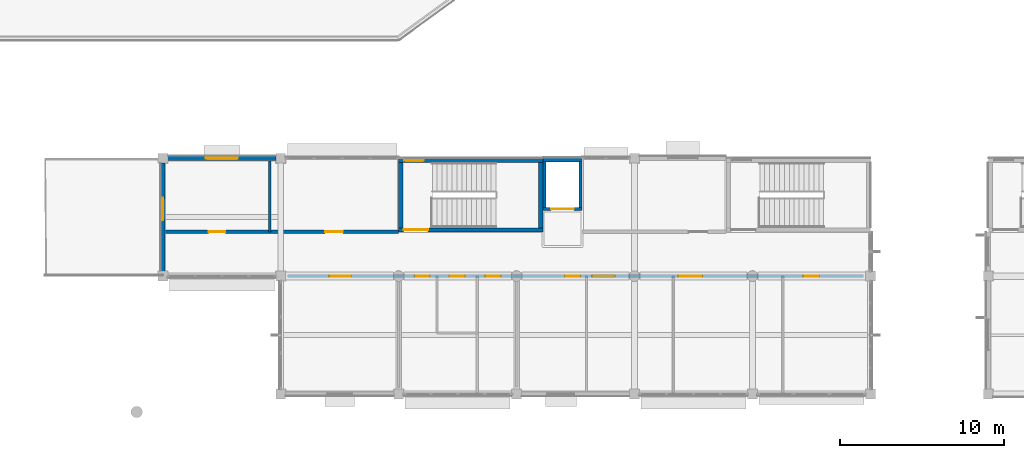
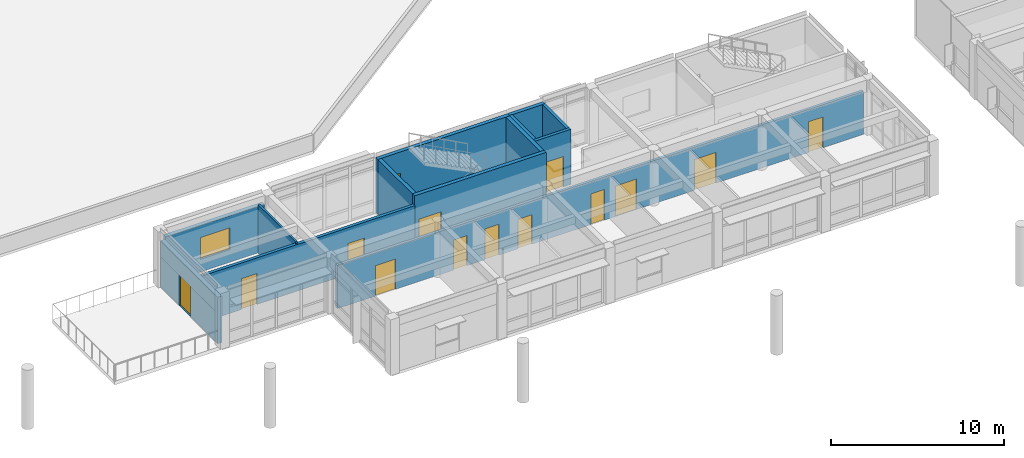
# One storey, part 22 of 55: 13 doors, 13 walls, 2 windows, 15 openings.
"""IFC4 building model written with IfcOpenShell, lengths in metres."""

import ifcopenshell
import ifcopenshell.guid

model = None  # the IFC model being written
_history = None  # IfcOwnerHistory: only IFC2X3 demands one
_inside = {}  # id of a spatial element -> (the spatial element, [elements in it])
_under = {}  # id of a project, library or spatial element -> (it, [spatial elements below it])
_declared = {}  # id of a project -> (the project, [libraries it declares])
_typed = {}  # id of a type object -> (the type object, [elements of that type])
_made_of = {}  # id of a material, layer set ... -> (it, [elements and type objects made of it])


def new_model(schema):
    """Start an empty IFC model of exactly this schema.

    Asked for "IFC4X3", IfcOpenShell would pick the latest addendum, in which some entities
    have other attributes; the version numbers below select the first issue.
    IFC2X3 requires an IfcOwnerHistory on every rooted entity: one is made here for all.
    """
    global model, _history
    if schema == "IFC4X3":
        model = ifcopenshell.file(schema_version=(4, 3, 0, 0))
    else:
        model = ifcopenshell.file(schema=schema)
    _inside.clear()
    _under.clear()
    _declared.clear()
    _typed.clear()
    _made_of.clear()
    _history = None
    if model.schema == "IFC2X3":
        org = make("IfcOrganization", Name="unknown")
        user = make(
            "IfcPersonAndOrganization",
            ThePerson=make("IfcPerson", FamilyName="unknown"),
            TheOrganization=org,
        )
        app = make(
            "IfcApplication",
            ApplicationDeveloper=org,
            Version="unknown",
            ApplicationFullName="unknown",
            ApplicationIdentifier="unknown",
        )
        _history = make(
            "IfcOwnerHistory",
            OwningUser=user,
            OwningApplication=app,
            ChangeAction="ADDED",
            CreationDate=0,
        )
    return model


def make(cls, **values):
    """One entity of the class cls with the attributes given. An attribute that is None is left unset."""
    return model.create_entity(
        cls, **{name: value for name, value in values.items() if value is not None}
    )


def rooted(cls, **values):
    """An entity with a GlobalId (a new one), such as an element, a storey or a relation."""
    return make(cls, GlobalId=ifcopenshell.guid.new(), OwnerHistory=_history, **values)


def si_unit(unit_type, name, prefix=None):
    """IfcSIUnit, for example si_unit("LENGTHUNIT", "METRE", prefix="MILLI")."""
    return make("IfcSIUnit", UnitType=unit_type, Prefix=prefix, Name=name)


def assignment(units):
    """IfcUnitAssignment: the units of a project."""
    return None if units is None else make("IfcUnitAssignment", Units=units)


def point(xyz):
    """IfcCartesianPoint."""
    return None if xyz is None else make("IfcCartesianPoint", Coordinates=xyz)


def direction(xyz):
    """IfcDirection."""
    return None if xyz is None else make("IfcDirection", DirectionRatios=xyz)


def frame(location, z_axis=None, x_axis=None):
    """IfcAxis2Placement3D, a coordinate frame: its origin and axes. An axis left out is left unset."""
    return make(
        "IfcAxis2Placement3D",
        Location=point(location),
        Axis=direction(z_axis),
        RefDirection=direction(x_axis),
    )


def frame_2d(location, x_axis=None):
    """IfcAxis2Placement2D, a coordinate frame in the plane: its origin and x axis."""
    return make(
        "IfcAxis2Placement2D", Location=point(location), RefDirection=direction(x_axis)
    )


def origin():
    """The frame at (0, 0, 0) with its axes left unset."""
    return frame((0.0, 0.0, 0.0))


def place(relative_to, where):
    """IfcLocalPlacement: puts the frame where relative to a parent placement (None: the world)."""
    return make(
        "IfcLocalPlacement", PlacementRelTo=relative_to, RelativePlacement=where
    )


def context(
    kind, dimensions, precision=None, world=None, true_north=None, identifier=None
):
    """IfcGeometricRepresentationContext, for example the 3D "Model" context."""
    return make(
        "IfcGeometricRepresentationContext",
        ContextIdentifier=identifier,
        ContextType=kind,
        CoordinateSpaceDimension=dimensions,
        Precision=precision,
        WorldCoordinateSystem=world,
        TrueNorth=true_north,
    )


def subcontext(parent, identifier, kind, view, scale=None):
    """IfcGeometricRepresentationSubContext, for example "Body" below "Model"."""
    return make(
        "IfcGeometricRepresentationSubContext",
        ContextIdentifier=identifier,
        ContextType=kind,
        ParentContext=parent,
        TargetScale=scale,
        TargetView=view,
    )


def project(units=None, contexts=None):
    """IfcProject with its units and contexts."""
    return rooted(
        "IfcProject",
        Name="project",
        RepresentationContexts=contexts,
        UnitsInContext=assignment(units),
    )


def spatial(cls, under=None, at=None, **own):
    """A site, building, storey or space (cls), placed at a placement, below another one or the project."""
    s = rooted(cls, ObjectPlacement=at, **own)
    if under is not None:
        _under.setdefault(under.id(), (under, []))[1].append(s)
    return s


def profile(cls, at=None, kind="AREA", **sizes):
    """A parametric profile (cls). Its sizes go by their IFC names, for example OverallWidth=200.0."""
    return make(cls, ProfileType=kind, Position=at, **sizes)


def rectangle(**sizes):
    """IfcRectangleProfileDef."""
    return profile("IfcRectangleProfileDef", **sizes)


def extrude(swept, where, along, depth):
    """IfcExtrudedAreaSolid: the profile swept, set in the frame where, extruded along a direction by depth."""
    return make(
        "IfcExtrudedAreaSolid",
        SweptArea=swept,
        Position=where,
        ExtrudedDirection=direction(along),
        Depth=depth,
    )


def shape(context_of_items, identifier, shape_type, items):
    """IfcShapeRepresentation: the items that make up one representation, for example the "Body"."""
    return make(
        "IfcShapeRepresentation",
        ContextOfItems=context_of_items,
        RepresentationIdentifier=identifier,
        RepresentationType=shape_type,
        Items=items,
    )


def material(Name=None, Category=None):
    """IfcMaterial."""
    return make("IfcMaterial", Name=Name, Category=Category)


def layer(
    of_material, thickness, ventilated=None, Name=None, Category=None, Priority=None
):
    """IfcMaterialLayer: one layer of a wall or slab, of a material (None: an air gap)."""
    return make(
        "IfcMaterialLayer",
        Material=of_material,
        LayerThickness=thickness,
        IsVentilated=ventilated,
        Name=Name,
        Category=Category,
        Priority=Priority,
    )


def layer_set(layers, Name=None):
    """IfcMaterialLayerSet."""
    return make("IfcMaterialLayerSet", MaterialLayers=layers, LayerSetName=Name)


def made_of(thing, what):
    """Note that an element or type object is made of a material, layer set ...; save() writes the relation."""
    if what is not None:
        _made_of.setdefault(what.id(), (what, []))[1].append(thing)
    return thing


def type_object(cls, material=None, **own):
    """A type object (cls), such as IfcWallType, which elements share."""
    return made_of(rooted(cls, **own), material)


def element(
    cls,
    number,
    at=None,
    inside=None,
    cuts=None,
    type_object=None,
    material=None,
    context=None,
    identifier="Body",
    shape_type=None,
    held_by="IfcProductDefinitionShape",
    body=None,
    shapes=None,
    **own,
):
    """One element of the class cls, such as IfcWall. Its Tag is "e" and its number.

    at: its placement. inside: the storey or other place that contains it. cuts: it is an
    opening in that element (IfcRelVoidsElement). A single representation is given by context,
    identifier, shape_type and body (its items); several are given by shapes. held_by: the class
    of the entity that holds the representations. save() writes the other relations.
    """
    e = rooted(cls, Tag="e%d" % number, ObjectPlacement=at, **own)
    if body is not None:
        shapes = [shape(context, identifier, shape_type, body)]
    if shapes is not None:
        e.Representation = make(held_by, Representations=shapes)
    if inside is not None:
        _inside.setdefault(inside.id(), (inside, []))[1].append(e)
    if cuts is not None:
        rooted(
            "IfcRelVoidsElement", RelatingBuildingElement=cuts, RelatedOpeningElement=e
        )
    if type_object is not None:
        _typed.setdefault(type_object.id(), (type_object, []))[1].append(e)
    return made_of(e, material)


def fill(opening, filler):
    """IfcRelFillsElement: the door or window that sits in an opening."""
    return rooted(
        "IfcRelFillsElement",
        RelatingOpeningElement=opening,
        RelatedBuildingElement=filler,
    )


def aggregate(whole, parts):
    """IfcRelAggregates: a whole, such as a stair, and the parts it consists of."""
    return rooted("IfcRelAggregates", RelatingObject=whole, RelatedObjects=parts)


def save(model, path):
    """Write the relations noted so far, then the file.

    IfcRelAggregates (storeys below a building ...), IfcRelContainedInSpatialStructure (elements
    in a storey), IfcRelDefinesByType, IfcRelAssociatesMaterial and IfcRelDeclares: one each for
    every whole, place, type object, material and project.
    """
    for whole, parts in _under.values():
        aggregate(whole, parts)
    for where, things in _inside.values():
        rooted(
            "IfcRelContainedInSpatialStructure",
            RelatedElements=things,
            RelatingStructure=where,
        )
    for kind, things in _typed.values():
        rooted("IfcRelDefinesByType", RelatedObjects=things, RelatingType=kind)
    for what, things in _made_of.values():
        rooted("IfcRelAssociatesMaterial", RelatedObjects=things, RelatingMaterial=what)
    for by, libraries in _declared.values():
        rooted("IfcRelDeclares", RelatingContext=by, RelatedDefinitions=libraries)
    model.write(path)


model = new_model("IFC4")

# Units and contexts
model_context = context("Model", 3, precision=1e-05, world=origin(), true_north=direction((0.0, 1.0)))
body_context = subcontext(model_context, "Body", "Model", "MODEL_VIEW")
ifc_project = project(units=[si_unit("LENGTHUNIT", "METRE"), si_unit("AREAUNIT", "SQUARE_METRE"), si_unit("VOLUMEUNIT", "CUBIC_METRE"), si_unit("PLANEANGLEUNIT", "RADIAN"), si_unit("MASSUNIT", "GRAM", prefix="KILO")], contexts=[model_context])

# Site, building, storey
site_placement = place(None, origin())
site = spatial("IfcSite", under=ifc_project, at=site_placement, CompositionType="ELEMENT")
building_placement = place(site_placement, origin())
building = spatial("IfcBuilding", under=site, at=building_placement, Name="Namkhue Oval Health Centre", CompositionType="ELEMENT")
storey_placement = place(building_placement, frame((0.0, 0.0, 9.60009765625)))
storey = spatial("IfcBuildingStorey", under=building, at=storey_placement, Name="L02", CompositionType="ELEMENT", Elevation=9.60009765625)

# Wall, opening, window
ifc_material_1 = material(Name="Autoclaved aerated concrete blockwork M7.5", Category="masonry")
ifc_layer_1 = layer(ifc_material_1, 0.27001953125)
ifc_layer_set_1 = layer_set([ifc_layer_1], Name="Autoclaved aerated concrete blockwork M7.5")
wall_type_1 = type_object("IfcWallType", Name="EXTERIOR ENVELOPE WALL 270", PredefinedType="STANDARD", material=ifc_layer_set_1)
wall_1_placement = place(storey_placement, frame((50.10400390625, 28.800048828125, 0.0), z_axis=(0.0, 0.0, 1.0), x_axis=(-1.0, 0.0, 0.0)))
wall_1 = element("IfcWall", 1, at=wall_1_placement, inside=storey, type_object=wall_type_1, Name="Volume V4 L02 Exterior Envelope Wall 106", PredefinedType="STANDARD", context=body_context, shape_type="SweptSolid", body=[
    extrude(rectangle(XDim=6.60791015625, YDim=0.27001953125, at=frame_2d((3.303955078125, 0.0))), origin(), (0.0, 0.0, 1.0), 3.2919921875),
])
opening_1_placement = place(wall_1_placement, frame((2.3291015625, 0.0, 0.89990234375)))
opening_1 = element("IfcOpeningElement", 2, at=opening_1_placement, cuts=wall_1, Name="Opening WN-28", PredefinedType="OPENING", context=body_context, shape_type="SweptSolid", body=[
    extrude(rectangle(XDim=1.949951171875, YDim=1.5400390625, at=frame_2d((0.97509765625, 0.77001953125))), frame((0.0, 0.14501953125, 0.0), z_axis=(0.0, -1.0, 0.0), x_axis=(1.0, 0.0, 0.0)), (0.0, 0.0, 1.0), 0.2900390625),
])
ifc_material_2 = material(Name="Thermally broken low-E laminated double glazing", Category="glass")
window_type_1 = type_object("IfcWindowType", Name="EXTERIOR WINDOW 1950X1540", PartitioningType="SINGLE_PANEL", PredefinedType="WINDOW", material=ifc_material_2)
window_1_placement = place(opening_1_placement, origin())
window_1 = element("IfcWindow", 3, at=window_1_placement, inside=storey, type_object=window_type_1, Name="Volume V4 L02 Exterior Window 73", OverallHeight=1.5400390625, OverallWidth=1.949951171875, PartitioningType="SINGLE_PANEL", PredefinedType="WINDOW", context=body_context, shape_type="SweptSolid", body=[
    extrude(rectangle(XDim=1.949951171875, YDim=1.5400390625, at=frame_2d((0.97509765625, 0.77001953125))), frame((0.0, 0.030029296875, 0.0), z_axis=(0.0, -1.0, 0.0), x_axis=(1.0, 0.0, 0.0)), (0.0, 0.0, 1.0), 0.06005859375),
])
fill(opening_1, window_1)

# Wall, opening, door
ifc_layer_2 = layer(ifc_material_1, 0.280029296875)
ifc_layer_set_2 = layer_set([ifc_layer_2], Name="Autoclaved aerated concrete blockwork M7.5")
wall_type_2 = type_object("IfcWallType", Name="EXTERIOR ENVELOPE WALL 280", PredefinedType="STANDARD", material=ifc_layer_set_2)
wall_2_placement = place(storey_placement, frame((43.199951171875, 28.50390625, 0.0), z_axis=(0.0, 0.0, 1.0), x_axis=(0.0, -1.0, 0.0)))
wall_2 = element("IfcWall", 4, at=wall_2_placement, inside=storey, type_object=wall_type_2, Name="Volume V4 L02 Exterior Envelope Wall 107", PredefinedType="STANDARD", context=body_context, shape_type="SweptSolid", body=[
    extrude(rectangle(XDim=6.60791015625, YDim=0.280029296875, at=frame_2d((3.303955078125, 0.0))), origin(), (0.0, 0.0, 1.0), 3.2919921875),
])
opening_2_placement = place(wall_2_placement, frame((2.1240234375, 0.0, 0.0)))
opening_2 = element("IfcOpeningElement", 5, at=opening_2_placement, cuts=wall_2, Name="Opening TD-02", PredefinedType="OPENING", context=body_context, shape_type="SweptSolid", body=[
    extrude(rectangle(XDim=1.360107421875, YDim=2.159912109375, at=frame_2d((0.68017578125, 1.080078125))), frame((0.0, 0.14990234375, 0.0), z_axis=(0.0, -1.0, 0.0), x_axis=(1.0, 0.0, 0.0)), (0.0, 0.0, 1.0), 0.300048828125),
])
ifc_material_3 = material(Name="Anodised aluminium glazed entrance door", Category="aluminium")
door_type_1 = type_object("IfcDoorType", Name="TERRACE DOOR 1360X2160", OperationType="DOUBLE_DOOR_SINGLE_SWING", PredefinedType="DOOR", material=ifc_material_3)
door_1_placement = place(opening_2_placement, frame((1.360107421875, 0.0, 0.0), z_axis=(0.0, 0.0, 1.0), x_axis=(-1.0, 0.0, 0.0)))
door_1 = element("IfcDoor", 6, at=door_1_placement, inside=storey, type_object=door_type_1, Name="Volume V4 L02 Roof Terrace Door 9", OperationType="DOUBLE_DOOR_SINGLE_SWING", OverallHeight=2.159912109375, OverallWidth=1.360107421875, PredefinedType="DOOR", context=body_context, shape_type="SweptSolid", body=[
    extrude(rectangle(XDim=1.360107421875, YDim=2.159912109375, at=frame_2d((0.68017578125, 1.080078125))), frame((0.0, 0.02490234375, 0.0), z_axis=(0.0, -1.0, 0.0), x_axis=(1.0, 0.0, 0.0)), (0.0, 0.0, 1.0), 0.050048828125),
])
fill(opening_2, door_1)

# Wall, openings, doors
ifc_material_4 = material(Name="Gypsum plasterboard acoustic partition", Category="gypsum")
ifc_layer_3 = layer(ifc_material_4, 0.18505859375)
ifc_layer_set_3 = layer_set([ifc_layer_3], Name="Gypsum plasterboard acoustic partition")
wall_type_3 = type_object("IfcWallType", Name="FIRE PARTITION WALL 185", PredefinedType="PARTITIONING", material=ifc_layer_set_3)
wall_3_placement = place(storey_placement, frame((50.82421875, 21.60009765625, 0.0), z_axis=(0.0, 0.0, 1.0), x_axis=(1.0, 0.0, 0.0)))
wall_3 = element("IfcWall", 7, at=wall_3_placement, inside=storey, type_object=wall_type_3, Name="Volume V4 L02 Clinical Partition Wall 184", PredefinedType="PARTITIONING", context=body_context, shape_type="SweptSolid", body=[
    extrude(rectangle(XDim=35.1513671875, YDim=0.18505859375, at=frame_2d((17.57568359375, 0.0))), origin(), (0.0, 0.0, 1.0), 3.0498046875),
])
opening_3_placement = place(wall_3_placement, frame((2.547607421875, 0.0, 0.0)))
opening_3 = element("IfcOpeningElement", 8, at=opening_3_placement, cuts=wall_3, Name="Opening CDD-01", PredefinedType="OPENING", context=body_context, shape_type="SweptSolid", body=[
    extrude(rectangle(XDim=1.340087890625, YDim=2.139892578125, at=frame_2d((0.669921875, 1.06982421875))), frame((0.0, 0.1025390625, 0.0), z_axis=(0.0, -1.0, 0.0), x_axis=(1.0, 0.0, 0.0)), (0.0, 0.0, 1.0), 0.205078125),
])
opening_4_placement = place(wall_3_placement, frame((7.765625, 0.0, 0.0)))
opening_4 = element("IfcOpeningElement", 9, at=opening_4_placement, cuts=wall_3, Name="Opening CD-07", PredefinedType="OPENING", context=body_context, shape_type="SweptSolid", body=[
    extrude(rectangle(XDim=0.89990234375, YDim=2.1298828125, at=frame_2d((0.449951171875, 1.06494140625))), frame((0.0, 0.1025390625, 0.0), z_axis=(0.0, -1.0, 0.0), x_axis=(1.0, 0.0, 0.0)), (0.0, 0.0, 1.0), 0.205078125),
])
opening_5_placement = place(wall_3_placement, frame((9.8857421875, 0.0, 0.0)))
opening_5 = element("IfcOpeningElement", 10, at=opening_5_placement, cuts=wall_3, Name="Opening CD-13", PredefinedType="OPENING", context=body_context, shape_type="SweptSolid", body=[
    extrude(rectangle(XDim=0.919921875, YDim=2.179931640625, at=frame_2d((0.4599609375, 1.08984375))), frame((0.0, 0.1025390625, 0.0), z_axis=(0.0, -1.0, 0.0), x_axis=(1.0, 0.0, 0.0)), (0.0, 0.0, 1.0), 0.205078125),
])
opening_6_placement = place(wall_3_placement, frame((12.065673828125, 0.0, 0.0)))
opening_6 = element("IfcOpeningElement", 11, at=opening_6_placement, cuts=wall_3, Name="Opening CD-02", PredefinedType="OPENING", context=body_context, shape_type="SweptSolid", body=[
    extrude(rectangle(XDim=0.93994140625, YDim=2.080078125, at=frame_2d((0.469970703125, 1.0400390625))), frame((0.0, 0.1025390625, 0.0), z_axis=(0.0, -1.0, 0.0), x_axis=(1.0, 0.0, 0.0)), (0.0, 0.0, 1.0), 0.205078125),
])
opening_7_placement = place(wall_3_placement, frame((16.940673828125, 0.0, 0.0)))
opening_7 = element("IfcOpeningElement", 12, at=opening_7_placement, cuts=wall_3, Name="Opening CD-13", PredefinedType="OPENING", context=body_context, shape_type="SweptSolid", body=[
    extrude(rectangle(XDim=0.919921875, YDim=2.179931640625, at=frame_2d((0.4599609375, 1.08984375))), frame((0.0, 0.1025390625, 0.0), z_axis=(0.0, -1.0, 0.0), x_axis=(1.0, 0.0, 0.0)), (0.0, 0.0, 1.0), 0.205078125),
])
opening_8_placement = place(wall_3_placement, frame((18.580810546875, 0.0, 0.0)))
opening_8 = element("IfcOpeningElement", 13, at=opening_8_placement, cuts=wall_3, Name="Opening CDD-02", PredefinedType="OPENING", context=body_context, shape_type="SweptSolid", body=[
    extrude(rectangle(XDim=1.39990234375, YDim=2.159912109375, at=frame_2d((0.699951171875, 1.080078125))), frame((0.0, 0.1025390625, 0.0), z_axis=(0.0, -1.0, 0.0), x_axis=(1.0, 0.0, 0.0)), (0.0, 0.0, 1.0), 0.205078125),
])
opening_9_placement = place(wall_3_placement, frame((23.849609375, 0.0, 0.0)))
opening_9 = element("IfcOpeningElement", 14, at=opening_9_placement, cuts=wall_3, Name="Opening CDD-03", PredefinedType="OPENING", context=body_context, shape_type="SweptSolid", body=[
    extrude(rectangle(XDim=1.4599609375, YDim=2.179931640625, at=frame_2d((0.72998046875, 1.08984375))), frame((0.0, 0.1025390625, 0.0), z_axis=(0.0, -1.0, 0.0), x_axis=(1.0, 0.0, 0.0)), (0.0, 0.0, 1.0), 0.205078125),
])
opening_10_placement = place(wall_3_placement, frame((31.485595703125, 0.0, 0.0)))
opening_10 = element("IfcOpeningElement", 15, at=opening_10_placement, cuts=wall_3, Name="Opening CD-14", PredefinedType="OPENING", context=body_context, shape_type="SweptSolid", body=[
    extrude(rectangle(XDim=0.969970703125, YDim=2.179931640625, at=frame_2d((0.48486328125, 1.08984375))), frame((0.0, 0.1025390625, 0.0), z_axis=(0.0, -1.0, 0.0), x_axis=(1.0, 0.0, 0.0)), (0.0, 0.0, 1.0), 0.205078125),
])
ifc_material_5 = material(Name="High-pressure laminate timber clinical door", Category="wood")
door_type_2 = type_object("IfcDoorType", Name="CLINICAL DOOR 900X2130", OperationType="NOTDEFINED", PredefinedType="DOOR", material=ifc_material_5)
door_2_placement = place(opening_4_placement, frame((0.89990234375, 0.0, 0.0), z_axis=(0.0, 0.0, 1.0), x_axis=(-1.0, 0.0, 0.0)))
door_2 = element("IfcDoor", 16, at=door_2_placement, inside=storey, type_object=door_type_2, Name="Volume V4 L02 Sterile Theatre Pack Utility Door 159", OperationType="SINGLE_SWING_LEFT", OverallHeight=2.1298828125, OverallWidth=0.89990234375, PredefinedType="DOOR", context=body_context, shape_type="SweptSolid", body=[
    extrude(rectangle(XDim=0.89990234375, YDim=2.1298828125, at=frame_2d((0.449951171875, 1.06494140625))), frame((0.0, 0.02490234375, 0.0), z_axis=(0.0, -1.0, 0.0), x_axis=(1.0, 0.0, 0.0)), (0.0, 0.0, 1.0), 0.050048828125),
])
fill(opening_4, door_2)
door_type_3 = type_object("IfcDoorType", Name="CLINICAL DOOR 920X2180", OperationType="NOTDEFINED", PredefinedType="DOOR", material=ifc_material_5)
door_3_placement = place(opening_5_placement, frame((0.919921875, 0.0, 0.0), z_axis=(0.0, 0.0, 1.0), x_axis=(-1.0, 0.0, 0.0)))
door_3 = element("IfcDoor", 17, at=door_3_placement, inside=storey, type_object=door_type_3, Name="Volume V4 L02 Accessible WC Door 160", OperationType="SINGLE_SWING_LEFT", OverallHeight=2.179931640625, OverallWidth=0.919921875, PredefinedType="DOOR", context=body_context, shape_type="SweptSolid", body=[
    extrude(rectangle(XDim=0.919921875, YDim=2.179931640625, at=frame_2d((0.4599609375, 1.08984375))), frame((0.0, 0.02490234375, 0.0), z_axis=(0.0, -1.0, 0.0), x_axis=(1.0, 0.0, 0.0)), (0.0, 0.0, 1.0), 0.050048828125),
])
fill(opening_5, door_3)
door_4_placement = place(opening_7_placement, frame((0.919921875, 0.0, 0.0), z_axis=(0.0, 0.0, 1.0), x_axis=(-1.0, 0.0, 0.0)))
door_4 = element("IfcDoor", 18, at=door_4_placement, inside=storey, type_object=door_type_3, Name="Volume V4 L02 Central Sterile Supply CSSD Door 162", OperationType="SINGLE_SWING_LEFT", OverallHeight=2.179931640625, OverallWidth=0.919921875, PredefinedType="DOOR", context=body_context, shape_type="SweptSolid", body=[
    extrude(rectangle(XDim=0.919921875, YDim=2.179931640625, at=frame_2d((0.4599609375, 1.08984375))), frame((0.0, 0.02490234375, 0.0), z_axis=(0.0, -1.0, 0.0), x_axis=(1.0, 0.0, 0.0)), (0.0, 0.0, 1.0), 0.050048828125),
])
fill(opening_7, door_4)
door_type_4 = type_object("IfcDoorType", Name="CLINICAL DOOR 940X2080", OperationType="NOTDEFINED", PredefinedType="DOOR", material=ifc_material_5)
door_5_placement = place(opening_6_placement, frame((0.93994140625, 0.0, 0.0), z_axis=(0.0, 0.0, 1.0), x_axis=(-1.0, 0.0, 0.0)))
door_5 = element("IfcDoor", 19, at=door_5_placement, inside=storey, type_object=door_type_4, Name="Volume V4 L02 Surgical Staff Washroom Door 161", OperationType="SINGLE_SWING_RIGHT", OverallHeight=2.080078125, OverallWidth=0.93994140625, PredefinedType="DOOR", context=body_context, shape_type="SweptSolid", body=[
    extrude(rectangle(XDim=0.93994140625, YDim=2.080078125, at=frame_2d((0.469970703125, 1.0400390625))), frame((0.0, 0.02490234375, 0.0), z_axis=(0.0, -1.0, 0.0), x_axis=(1.0, 0.0, 0.0)), (0.0, 0.0, 1.0), 0.050048828125),
])
fill(opening_6, door_5)
door_type_5 = type_object("IfcDoorType", Name="CLINICAL DOOR 970X2180", OperationType="NOTDEFINED", PredefinedType="DOOR", material=ifc_material_5)
door_6_placement = place(opening_10_placement, frame((0.969970703125, 0.0, 0.0), z_axis=(0.0, 0.0, 1.0), x_axis=(-1.0, 0.0, 0.0)))
door_6 = element("IfcDoor", 20, at=door_6_placement, inside=storey, type_object=door_type_5, Name="Volume V4 L02 Post Anaesthesia Recovery Bay Door 165", OperationType="SINGLE_SWING_RIGHT", OverallHeight=2.179931640625, OverallWidth=0.969970703125, PredefinedType="DOOR", context=body_context, shape_type="SweptSolid", body=[
    extrude(rectangle(XDim=0.969970703125, YDim=2.179931640625, at=frame_2d((0.48486328125, 1.08984375))), frame((0.0, 0.02490234375, 0.0), z_axis=(0.0, -1.0, 0.0), x_axis=(1.0, 0.0, 0.0)), (0.0, 0.0, 1.0), 0.050048828125),
])
fill(opening_10, door_6)
ifc_material_6 = material(Name="Powder-coated steel fire door assembly", Category="steel")
door_type_6 = type_object("IfcDoorType", Name="CLINICAL DOOR DOUBLE 1340X2140", OperationType="DOUBLE_DOOR_SINGLE_SWING", PredefinedType="DOOR", material=ifc_material_6)
door_7_placement = place(opening_3_placement, frame((1.340087890625, 0.0, 0.0), z_axis=(0.0, 0.0, 1.0), x_axis=(-1.0, 0.0, 0.0)))
door_7 = element("IfcDoor", 21, at=door_7_placement, inside=storey, type_object=door_type_6, Name="Volume V4 L02 Surgical Scrub Preparation Door 158", OperationType="DOUBLE_DOOR_SINGLE_SWING", OverallHeight=2.139892578125, OverallWidth=1.340087890625, PredefinedType="DOOR", context=body_context, shape_type="SweptSolid", body=[
    extrude(rectangle(XDim=1.340087890625, YDim=2.139892578125, at=frame_2d((0.669921875, 1.06982421875))), frame((0.0, 0.02490234375, 0.0), z_axis=(0.0, -1.0, 0.0), x_axis=(1.0, 0.0, 0.0)), (0.0, 0.0, 1.0), 0.050048828125),
])
fill(opening_3, door_7)
door_type_7 = type_object("IfcDoorType", Name="CLINICAL DOOR DOUBLE 1400X2160", OperationType="DOUBLE_DOOR_SINGLE_SWING", PredefinedType="DOOR", material=ifc_material_6)
door_8_placement = place(opening_8_placement, frame((1.39990234375, 0.0, 0.0), z_axis=(0.0, 0.0, 1.0), x_axis=(-1.0, 0.0, 0.0)))
door_8 = element("IfcDoor", 22, at=door_8_placement, inside=storey, type_object=door_type_7, Name="Volume V4 L02 Minor Surgical Procedure Theatre Door 163", OperationType="DOUBLE_DOOR_SINGLE_SWING", OverallHeight=2.159912109375, OverallWidth=1.39990234375, PredefinedType="DOOR", context=body_context, shape_type="SweptSolid", body=[
    extrude(rectangle(XDim=1.39990234375, YDim=2.159912109375, at=frame_2d((0.699951171875, 1.080078125))), frame((0.0, 0.02490234375, 0.0), z_axis=(0.0, -1.0, 0.0), x_axis=(1.0, 0.0, 0.0)), (0.0, 0.0, 1.0), 0.050048828125),
])
fill(opening_8, door_8)
door_type_8 = type_object("IfcDoorType", Name="CLINICAL DOOR DOUBLE 1460X2180", OperationType="DOUBLE_DOOR_SINGLE_SWING", PredefinedType="DOOR", material=ifc_material_6)
door_9_placement = place(opening_9_placement, frame((1.4599609375, 0.0, 0.0), z_axis=(0.0, 0.0, 1.0), x_axis=(-1.0, 0.0, 0.0)))
door_9 = element("IfcDoor", 23, at=door_9_placement, inside=storey, type_object=door_type_8, Name="Volume V4 L02 Day Surgery Operating Theatre Door 164", OperationType="DOUBLE_DOOR_SINGLE_SWING", OverallHeight=2.179931640625, OverallWidth=1.4599609375, PredefinedType="DOOR", context=body_context, shape_type="SweptSolid", body=[
    extrude(rectangle(XDim=1.4599609375, YDim=2.179931640625, at=frame_2d((0.72998046875, 1.08984375))), frame((0.0, 0.02490234375, 0.0), z_axis=(0.0, -1.0, 0.0), x_axis=(1.0, 0.0, 0.0)), (0.0, 0.0, 1.0), 0.050048828125),
])
fill(opening_9, door_9)

ifc_layer_4 = layer(ifc_material_4, 0.205078125)
ifc_layer_set_4 = layer_set([ifc_layer_4], Name="Gypsum plasterboard acoustic partition")
wall_type_4 = type_object("IfcWallType", Name="FIRE PARTITION WALL 205", PredefinedType="PARTITIONING", material=ifc_layer_set_4)
wall_4_placement = place(storey_placement, frame((43.362060546875, 24.300048828125, 0.0), z_axis=(0.0, 0.0, 1.0), x_axis=(1.0, 0.0, 0.0)))
wall_4 = element("IfcWall", 24, at=wall_4_placement, inside=storey, type_object=wall_type_4, Name="Volume V4 L02 Clinical Partition Wall 193", PredefinedType="PARTITIONING", context=body_context, shape_type="SweptSolid", body=[
    extrude(rectangle(XDim=14.218017578125, YDim=0.205078125, at=frame_2d((7.10888671875, 0.0))), origin(), (0.0, 0.0, 1.0), 3.2919921875),
])
opening_11_placement = place(wall_4_placement, frame((2.625, 0.0, 0.0)))
opening_11 = element("IfcOpeningElement", 25, at=opening_11_placement, cuts=wall_4, Name="Opening CD-15", PredefinedType="OPENING", context=body_context, shape_type="SweptSolid", body=[
    extrude(rectangle(XDim=1.030029296875, YDim=2.179931640625, at=frame_2d((0.51513671875, 1.08984375))), frame((0.0, 0.112548828125, 0.0), z_axis=(0.0, -1.0, 0.0), x_axis=(1.0, 0.0, 0.0)), (0.0, 0.0, 1.0), 0.22509765625),
])
opening_12_placement = place(wall_4_placement, frame((9.748046875, 0.0, 0.0)))
opening_12 = element("IfcOpeningElement", 26, at=opening_12_placement, cuts=wall_4, Name="Opening CD-16", PredefinedType="OPENING", context=body_context, shape_type="SweptSolid", body=[
    extrude(rectangle(XDim=1.080078125, YDim=2.179931640625, at=frame_2d((0.5400390625, 1.08984375))), frame((0.0, 0.112548828125, 0.0), z_axis=(0.0, -1.0, 0.0), x_axis=(1.0, 0.0, 0.0)), (0.0, 0.0, 1.0), 0.22509765625),
])
door_type_9 = type_object("IfcDoorType", Name="CLINICAL DOOR 1030X2180", OperationType="NOTDEFINED", PredefinedType="DOOR", material=ifc_material_5)
door_10_placement = place(opening_11_placement, origin())
door_10 = element("IfcDoor", 27, at=door_10_placement, inside=storey, type_object=door_type_9, Name="Volume V4 L02 South West Terrace Staff Lounge Door 166", OperationType="SINGLE_SWING_LEFT", OverallHeight=2.179931640625, OverallWidth=1.030029296875, PredefinedType="DOOR", context=body_context, shape_type="SweptSolid", body=[
    extrude(rectangle(XDim=1.030029296875, YDim=2.179931640625, at=frame_2d((0.51513671875, 1.08984375))), frame((0.0, 0.02490234375, 0.0), z_axis=(0.0, -1.0, 0.0), x_axis=(1.0, 0.0, 0.0)), (0.0, 0.0, 1.0), 0.050048828125),
])
fill(opening_11, door_10)
door_type_10 = type_object("IfcDoorType", Name="CLINICAL DOOR 1080X2180", OperationType="NOTDEFINED", PredefinedType="DOOR", material=ifc_material_5)
door_11_placement = place(opening_12_placement, origin())
door_11 = element("IfcDoor", 28, at=door_11_placement, inside=storey, type_object=door_type_10, Name="Volume V4 L02 Pre Anaesthesia Assessment Clinic Door 167", OperationType="SINGLE_SWING_RIGHT", OverallHeight=2.179931640625, OverallWidth=1.080078125, PredefinedType="DOOR", context=body_context, shape_type="SweptSolid", body=[
    extrude(rectangle(XDim=1.080078125, YDim=2.179931640625, at=frame_2d((0.5400390625, 1.08984375))), frame((0.0, 0.02490234375, 0.0), z_axis=(0.0, -1.0, 0.0), x_axis=(1.0, 0.0, 0.0)), (0.0, 0.0, 1.0), 0.050048828125),
])
fill(opening_12, door_11)

# Wall
ifc_layer_5 = layer(ifc_material_4, 0.139892578125)
ifc_layer_set_5 = layer_set([ifc_layer_5], Name="Gypsum plasterboard acoustic partition")
wall_type_5 = type_object("IfcWallType", Name="INTERIOR PARTITION WALL 140", PredefinedType="PARTITIONING", material=ifc_layer_set_5)
wall_5_placement = place(storey_placement, frame((49.719970703125, 24.300048828125, 0.0), z_axis=(0.0, 0.0, 1.0), x_axis=(0.0, 1.0, 0.0)))
element("IfcWall", 29, at=wall_5_placement, inside=storey, type_object=wall_type_5, Name="Volume V4 L02 Clinical Partition Wall 194", PredefinedType="PARTITIONING", context=body_context, shape_type="SweptSolid", body=[
    extrude(rectangle(XDim=4.343017578125, YDim=0.139892578125, at=frame_2d((2.17138671875, 0.0))), origin(), (0.0, 0.0, 1.0), 3.44189453125),
])

# Wall, opening, window
ifc_material_7 = material(Name="Reinforced concrete C35/45 (TCVN B40)", Category="concrete")
ifc_layer_6 = layer(ifc_material_7, 0.25)
ifc_layer_set_6 = layer_set([ifc_layer_6], Name="Reinforced concrete C35/45 (TCVN B40)")
wall_type_6 = type_object("IfcWallType", Name="SHEAR CORE WALL EXT 250", PredefinedType="SHEAR", material=ifc_layer_set_6)
wall_6_placement = place(storey_placement, frame((66.39990234375, 28.675048828125, 0.0), z_axis=(0.0, 0.0, 1.0), x_axis=(-1.0, 0.0, 0.0)))
wall_6 = element("IfcWall", 30, at=wall_6_placement, inside=storey, type_object=wall_type_6, Name="Core SC-07 L02 Shear Wall N", PredefinedType="SHEAR", context=body_context, shape_type="SweptSolid", body=[
    extrude(rectangle(XDim=8.7998046875, YDim=0.25, at=frame_2d((4.39990234375, 0.0))), origin(), (0.0, 0.0, 1.0), 3.89990234375),
])
opening_13_placement = place(wall_6_placement, frame((7.27001953125, 0.0, 0.919921875)))
opening_13 = element("IfcOpeningElement", 31, at=opening_13_placement, cuts=wall_6, Name="Opening SWN-01", PredefinedType="OPENING", context=body_context, shape_type="SweptSolid", body=[
    extrude(rectangle(XDim=1.179931640625, YDim=1.47998046875, at=frame_2d((0.58984375, 0.739990234375))), frame((0.0, 0.135009765625, 0.0), z_axis=(0.0, -1.0, 0.0), x_axis=(1.0, 0.0, 0.0)), (0.0, 0.0, 1.0), 0.27001953125),
])
ifc_material_8 = material(Name="Fire-rated insulated safety double glazing", Category="glass")
window_type_2 = type_object("IfcWindowType", Name="EXTERIOR WINDOW STAIRWELL 1180X1480", PartitioningType="SINGLE_PANEL", PredefinedType="WINDOW", material=ifc_material_8)
window_2_placement = place(opening_13_placement, origin())
window_2 = element("IfcWindow", 32, at=window_2_placement, inside=storey, type_object=window_type_2, Name="Stair ST-07 L02 Stairwell Daylight Window", OverallHeight=1.47998046875, OverallWidth=1.179931640625, PartitioningType="SINGLE_PANEL", PredefinedType="WINDOW", context=body_context, shape_type="SweptSolid", body=[
    extrude(rectangle(XDim=1.179931640625, YDim=1.47998046875, at=frame_2d((0.58984375, 0.739990234375))), frame((0.0, 0.030029296875, 0.0), z_axis=(0.0, -1.0, 0.0), x_axis=(1.0, 0.0, 0.0)), (0.0, 0.0, 1.0), 0.06005859375),
])
fill(opening_13, window_2)

# Wall
wall_7_placement = place(storey_placement, frame((68.800048828125, 28.699951171875, 0.0), z_axis=(0.0, 0.0, 1.0), x_axis=(-1.0, 0.0, 0.0)))
element("IfcWall", 33, at=wall_7_placement, inside=storey, type_object=wall_type_6, Name="Lift LF-05 L02 Shaft Wall N", PredefinedType="SHEAR", context=body_context, shape_type="SweptSolid", body=[
    extrude(rectangle(XDim=2.400146484375, YDim=0.25, at=frame_2d((1.2001953125, 0.0))), origin(), (0.0, 0.0, 1.0), 3.89990234375),
])

# Wall, opening, door
ifc_layer_7 = layer(ifc_material_7, 0.199951171875)
ifc_layer_set_7 = layer_set([ifc_layer_7], Name="Reinforced concrete C35/45 (TCVN B40)")
wall_type_7 = type_object("IfcWallType", Name="SHEAR CORE WALL INT 200", PredefinedType="SHEAR", material=ifc_layer_set_7)
wall_8_placement = place(storey_placement, frame((66.39990234375, 25.699951171875, 0.0), z_axis=(0.0, 0.0, 1.0), x_axis=(1.0, 0.0, 0.0)))
wall_8 = element("IfcWall", 34, at=wall_8_placement, inside=storey, type_object=wall_type_7, Name="Lift LF-05 L02 Shaft Wall S", PredefinedType="SHEAR", context=body_context, shape_type="SweptSolid", body=[
    extrude(rectangle(XDim=2.400146484375, YDim=0.199951171875, at=frame_2d((1.2001953125, 0.0))), origin(), (0.0, 0.0, 1.0), 3.89990234375),
])
opening_14_placement = place(wall_8_placement, frame((0.5, 0.0, 0.0)))
opening_14 = element("IfcOpeningElement", 35, at=opening_14_placement, cuts=wall_8, Name="Opening LD-01", PredefinedType="OPENING", context=body_context, shape_type="SweptSolid", body=[
    extrude(rectangle(XDim=1.39990234375, YDim=2.14990234375, at=frame_2d((0.699951171875, 1.074951171875))), frame((0.0, 0.10986328125, 0.0), z_axis=(0.0, -1.0, 0.0), x_axis=(1.0, 0.0, 0.0)), (0.0, 0.0, 1.0), 0.219970703125),
])
door_type_11 = type_object("IfcDoorType", Name="LIFT LANDING DOOR STRETCHER 1400X2150", OperationType="DOUBLE_DOOR_SLIDING", PredefinedType="DOOR", material=ifc_material_6)
door_12_placement = place(opening_14_placement, frame((1.39990234375, 0.0, 0.0), z_axis=(0.0, 0.0, 1.0), x_axis=(-1.0, 0.0, 0.0)))
door_12 = element("IfcDoor", 36, at=door_12_placement, inside=storey, type_object=door_type_11, Name="Lift LF-05 L02 Sliding Landing Door", OperationType="DOUBLE_DOOR_SLIDING", OverallHeight=2.14990234375, OverallWidth=1.39990234375, PredefinedType="DOOR", context=body_context, shape_type="SweptSolid", body=[
    extrude(rectangle(XDim=1.39990234375, YDim=2.14990234375, at=frame_2d((0.699951171875, 1.074951171875))), frame((0.0, 0.02490234375, 0.0), z_axis=(0.0, -1.0, 0.0), x_axis=(1.0, 0.0, 0.0)), (0.0, 0.0, 1.0), 0.050048828125),
])
fill(opening_14, door_12)

# Walls
for number, where, z_axis, x_axis, name in (
    (37, (68.699951171875, 25.800048828125, 0.0), (0.0, 0.0, 1.0), (0.0, 1.0, 0.0), "Lift LF-05 L02 Shaft Wall E"),
    (38, (66.5, 28.60009765625, 0.0), (0.0, 0.0, 1.0), (0.0, -1.0, 0.0), "Lift LF-05 L02 Shaft Wall W"),
):
    element("IfcWall", number, at=place(storey_placement, frame(where, z_axis=z_axis, x_axis=x_axis)), inside=storey, type_object=wall_type_7, Name=name, PredefinedType="SHEAR", context=body_context, shape_type="SweptSolid", body=[
        extrude(rectangle(XDim=2.800048828125, YDim=0.199951171875, at=frame_2d((1.39990234375, 0.0))), origin(), (0.0, 0.0, 1.0), 3.89990234375),
    ])

# Wall, opening, door
ifc_layer_8 = layer(ifc_material_7, 0.25)
ifc_layer_set_8 = layer_set([ifc_layer_8], Name="Reinforced concrete C35/45 (TCVN B40)")
wall_type_8 = type_object("IfcWallType", Name="SHEAR CORE WALL INT 250", PredefinedType="SHEAR", material=ifc_layer_set_8)
wall_9_placement = place(storey_placement, frame((57.60009765625, 24.425048828125, 0.0), z_axis=(0.0, 0.0, 1.0), x_axis=(1.0, 0.0, 0.0)))
wall_9 = element("IfcWall", 39, at=wall_9_placement, inside=storey, type_object=wall_type_8, Name="Core SC-07 L02 Shear Wall S", PredefinedType="SHEAR", context=body_context, shape_type="SweptSolid", body=[
    extrude(rectangle(XDim=8.7998046875, YDim=0.25, at=frame_2d((4.39990234375, 0.0))), origin(), (0.0, 0.0, 1.0), 3.89990234375),
])
opening_15_placement = place(wall_9_placement, frame((0.300048828125, 0.0, 0.0)))
opening_15 = element("IfcOpeningElement", 40, at=opening_15_placement, cuts=wall_9, Name="Opening SD-I1", PredefinedType="OPENING", context=body_context, shape_type="SweptSolid", body=[
    extrude(rectangle(XDim=1.5, YDim=2.14990234375, at=frame_2d((0.75, 1.074951171875))), frame((0.0, 0.135009765625, 0.0), z_axis=(0.0, -1.0, 0.0), x_axis=(1.0, 0.0, 0.0)), (0.0, 0.0, 1.0), 0.27001953125),
])
door_type_12 = type_object("IfcDoorType", Name="CLINICAL DOOR STAIR CORE 1500X2150", OperationType="DOUBLE_DOOR_SINGLE_SWING", PredefinedType="DOOR", material=ifc_material_6)
door_13_placement = place(opening_15_placement, origin())
door_13 = element("IfcDoor", 41, at=door_13_placement, inside=storey, type_object=door_type_12, Name="Stair ST-07 L02 Stair Enclosure Fire Door", OperationType="DOUBLE_DOOR_SINGLE_SWING", OverallHeight=2.14990234375, OverallWidth=1.5, PredefinedType="DOOR", context=body_context, shape_type="SweptSolid", body=[
    extrude(rectangle(XDim=1.5, YDim=2.14990234375, at=frame_2d((0.75, 1.074951171875))), frame((0.0, 0.02490234375, 0.0), z_axis=(0.0, -1.0, 0.0), x_axis=(1.0, 0.0, 0.0)), (0.0, 0.0, 1.0), 0.050048828125),
])
fill(opening_15, door_13)

# Walls
for number, where, z_axis, x_axis, name in (
    (42, (66.27490234375, 24.550048828125, 0.0), (0.0, 0.0, 1.0), (0.0, 1.0, 0.0), "Core SC-07 L02 Shear Wall E"),
    (43, (57.72509765625, 28.550048828125, 0.0), (0.0, 0.0, 1.0), (0.0, -1.0, 0.0), "Core SC-07 L02 Shear Wall W"),
):
    element("IfcWall", number, at=place(storey_placement, frame(where, z_axis=z_axis, x_axis=x_axis)), inside=storey, type_object=wall_type_8, Name=name, PredefinedType="SHEAR", context=body_context, shape_type="SweptSolid", body=[
        extrude(rectangle(XDim=4.0, YDim=0.25, at=frame_2d((2.0, 0.0))), origin(), (0.0, 0.0, 1.0), 3.89990234375),
    ])

save(model, "model.ifc")
